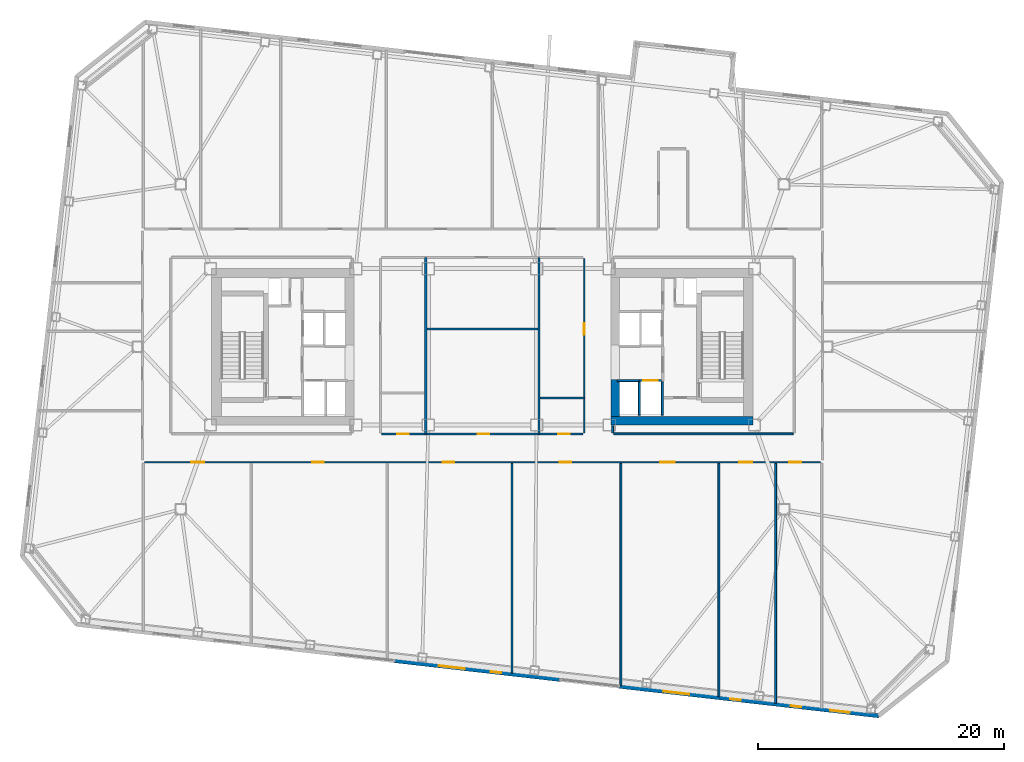
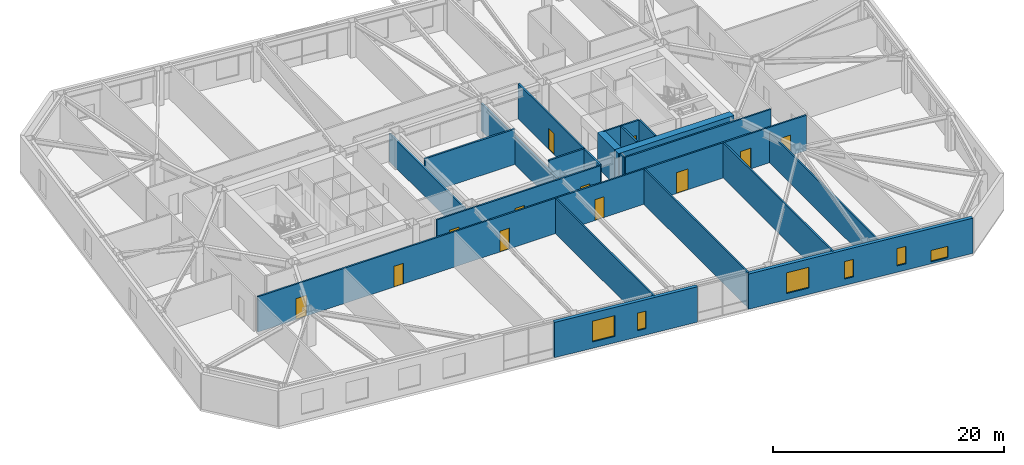
# One storey, part 13 of 21: 21 walls, 12 doors, 6 windows, 18 openings.
"""IFC4 building model written with IfcOpenShell, lengths in metres."""

from ifc_helpers import new_model, si_unit, direction, frame, frame_2d, origin, place, context, subcontext, project, spatial, rectangle, extrude, material, layer, layer_set, type_object, element, fill, save


model = new_model("IFC4")

# Units and contexts
model_context = context("Model", 3, precision=1e-05, world=origin(), true_north=direction((0.0, 1.0)))
body_context = subcontext(model_context, "Body", "Model", "MODEL_VIEW")
ifc_project = project(units=[si_unit("LENGTHUNIT", "METRE"), si_unit("AREAUNIT", "SQUARE_METRE"), si_unit("VOLUMEUNIT", "CUBIC_METRE"), si_unit("PLANEANGLEUNIT", "RADIAN"), si_unit("MASSUNIT", "GRAM", prefix="KILO")], contexts=[model_context])

# Site, building, storey
site_placement = place(None, origin())
site = spatial("IfcSite", under=ifc_project, at=site_placement, CompositionType="ELEMENT")
building_placement = place(site_placement, origin())
building = spatial("IfcBuilding", under=site, at=building_placement, Name="Tavrogorsk Clinical Tower", CompositionType="ELEMENT")
storey_placement = place(building_placement, frame((0.0, 0.0, 121.39990234375)))
storey = spatial("IfcBuildingStorey", under=building, at=storey_placement, Name="L27", CompositionType="ELEMENT", Elevation=121.39990234375)

# Wall, openings, doors
ifc_material_1 = material(Name="Lightweight concrete blockwork B15", Category="masonry")
ifc_layer_1 = layer(ifc_material_1, 0.159912109375)
ifc_layer_set_1 = layer_set([ifc_layer_1], Name="Lightweight concrete blockwork B15")
wall_type_1 = type_object("IfcWallType", Name="PartitionWall_160", PredefinedType="PARTITIONING", material=ifc_layer_set_1)
wall_1_placement = place(storey_placement, frame((27.465087890625, -9.3798828125, 0.0), z_axis=(0.0, 0.0, 1.0), x_axis=(-1.0, 0.0, 0.0)))
wall_1 = element("IfcWall", 1, at=wall_1_placement, inside=storey, type_object=wall_type_1, Name="L27 Corridor Partition 08", PredefinedType="PARTITIONING", context=body_context, shape_type="SweptSolid", body=[
    extrude(rectangle(XDim=54.93017578125, YDim=0.159912109375, at=frame_2d((27.465087890625, 0.0))), origin(), (0.0, 0.0, 1.0), 3.739990234375),
])
opening_1_placement = place(wall_1_placement, frame((50.055908203125, 0.0, 0.0)))
opening_1 = element("IfcOpeningElement", 2, at=opening_1_placement, cuts=wall_1, Name="Opening ID-04", PredefinedType="OPENING", context=body_context, shape_type="SweptSolid", body=[
    extrude(rectangle(XDim=1.050048828125, YDim=2.199951171875, at=frame_2d((0.52490234375, 1.10009765625))), frame((0.0, 0.08984375, 0.0), z_axis=(0.0, -1.0, 0.0), x_axis=(1.0, 0.0, 0.0)), (0.0, 0.0, 1.0), 0.179931640625),
])
opening_2_placement = place(wall_1_placement, frame((40.35009765625, 0.0, 0.0)))
opening_2 = element("IfcOpeningElement", 3, at=opening_2_placement, cuts=wall_1, Name="Opening ID-02", PredefinedType="OPENING", context=body_context, shape_type="SweptSolid", body=[
    extrude(rectangle(XDim=0.949951171875, YDim=2.199951171875, at=frame_2d((0.47509765625, 1.10009765625))), frame((0.0, 0.08984375, 0.0), z_axis=(0.0, -1.0, 0.0), x_axis=(1.0, 0.0, 0.0)), (0.0, 0.0, 1.0), 0.179931640625),
])
opening_3_placement = place(wall_1_placement, frame((29.75, 0.0, 0.0)))
opening_3 = element("IfcOpeningElement", 4, at=opening_3_placement, cuts=wall_1, Name="Opening ID-02", PredefinedType="OPENING", context=body_context, shape_type="SweptSolid", body=[
    extrude(rectangle(XDim=0.949951171875, YDim=2.199951171875, at=frame_2d((0.47509765625, 1.10009765625))), frame((0.0, 0.08984375, 0.0), z_axis=(0.0, -1.0, 0.0), x_axis=(1.0, 0.0, 0.0)), (0.0, 0.0, 1.0), 0.179931640625),
])
opening_4_placement = place(wall_1_placement, frame((20.25, 0.0, 0.0)))
opening_4 = element("IfcOpeningElement", 5, at=opening_4_placement, cuts=wall_1, Name="Opening ID-02", PredefinedType="OPENING", context=body_context, shape_type="SweptSolid", body=[
    extrude(rectangle(XDim=0.949951171875, YDim=2.199951171875, at=frame_2d((0.47509765625, 1.10009765625))), frame((0.0, 0.08984375, 0.0), z_axis=(0.0, -1.0, 0.0), x_axis=(1.0, 0.0, 0.0)), (0.0, 0.0, 1.0), 0.179931640625),
])
opening_5_placement = place(wall_1_placement, frame((11.85009765625, 0.0, 0.0)))
opening_5 = element("IfcOpeningElement", 6, at=opening_5_placement, cuts=wall_1, Name="Opening ID-06", PredefinedType="OPENING", context=body_context, shape_type="SweptSolid", body=[
    extrude(rectangle(XDim=1.14990234375, YDim=2.199951171875, at=frame_2d((0.574951171875, 1.10009765625))), frame((0.0, 0.08984375, 0.0), z_axis=(0.0, -1.0, 0.0), x_axis=(1.0, 0.0, 0.0)), (0.0, 0.0, 1.0), 0.179931640625),
])
opening_6_placement = place(wall_1_placement, frame((5.5625, 0.0, 0.0)))
opening_6 = element("IfcOpeningElement", 7, at=opening_6_placement, cuts=wall_1, Name="Opening ID-04", PredefinedType="OPENING", context=body_context, shape_type="SweptSolid", body=[
    extrude(rectangle(XDim=1.050048828125, YDim=2.199951171875, at=frame_2d((0.52490234375, 1.10009765625))), frame((0.0, 0.08984375, 0.0), z_axis=(0.0, -1.0, 0.0), x_axis=(1.0, 0.0, 0.0)), (0.0, 0.0, 1.0), 0.179931640625),
])
opening_7_placement = place(wall_1_placement, frame((1.58154296875, 0.0, 0.0)))
opening_7 = element("IfcOpeningElement", 8, at=opening_7_placement, cuts=wall_1, Name="Opening ID-02", PredefinedType="OPENING", context=body_context, shape_type="SweptSolid", body=[
    extrude(rectangle(XDim=0.949951171875, YDim=2.199951171875, at=frame_2d((0.47509765625, 1.10009765625))), frame((0.0, 0.08984375, 0.0), z_axis=(0.0, -1.0, 0.0), x_axis=(1.0, 0.0, 0.0)), (0.0, 0.0, 1.0), 0.179931640625),
])
ifc_material_2 = material(Name="Antibacterial HPL consultation door on aluminium frame", Category="aluminium")
door_type_1 = type_object("IfcDoorType", Name="ConsultDoor_ID04_1050", OperationType="NOTDEFINED", PredefinedType="DOOR", material=ifc_material_2)
door_1_placement = place(opening_1_placement, origin())
door_1 = element("IfcDoor", 9, at=door_1_placement, inside=storey, type_object=door_type_1, Name="L27 South Obstetric Case Conference Room 01 Door", OperationType="SINGLE_SWING_RIGHT", OverallHeight=2.199951171875, OverallWidth=1.050048828125, PredefinedType="DOOR", context=body_context, shape_type="SweptSolid", body=[
    extrude(rectangle(XDim=1.050048828125, YDim=2.199951171875, at=frame_2d((0.52490234375, 1.10009765625))), frame((0.0, 0.02490234375, 0.0), z_axis=(0.0, -1.0, 0.0), x_axis=(1.0, 0.0, 0.0)), (0.0, 0.0, 1.0), 0.050048828125),
])
fill(opening_1, door_1)
door_2_placement = place(opening_6_placement, origin())
door_2 = element("IfcDoor", 10, at=door_2_placement, inside=storey, type_object=door_type_1, Name="L27 South Midwifery Staff Lounge 04A Door", OperationType="SINGLE_SWING_LEFT", OverallHeight=2.199951171875, OverallWidth=1.050048828125, PredefinedType="DOOR", context=body_context, shape_type="SweptSolid", body=[
    extrude(rectangle(XDim=1.050048828125, YDim=2.199951171875, at=frame_2d((0.52490234375, 1.10009765625))), frame((0.0, 0.02490234375, 0.0), z_axis=(0.0, -1.0, 0.0), x_axis=(1.0, 0.0, 0.0)), (0.0, 0.0, 1.0), 0.050048828125),
])
fill(opening_6, door_2)
ifc_material_3 = material(Name="Laminated timber leaf on aluminium frame", Category="wood")
door_type_2 = type_object("IfcDoorType", Name="InteriorDoor_ID02_950", OperationType="NOTDEFINED", PredefinedType="DOOR", material=ifc_material_3)
door_3_placement = place(opening_2_placement, origin())
door_3 = element("IfcDoor", 11, at=door_3_placement, inside=storey, type_object=door_type_2, Name="L27 South Midwifery Staff Lounge 02A Door", OperationType="SINGLE_SWING_LEFT", OverallHeight=2.199951171875, OverallWidth=0.949951171875, PredefinedType="DOOR", context=body_context, shape_type="SweptSolid", body=[
    extrude(rectangle(XDim=0.949951171875, YDim=2.199951171875, at=frame_2d((0.47509765625, 1.10009765625))), frame((0.0, 0.02490234375, 0.0), z_axis=(0.0, -1.0, 0.0), x_axis=(1.0, 0.0, 0.0)), (0.0, 0.0, 1.0), 0.050048828125),
])
fill(opening_2, door_3)
door_4_placement = place(opening_3_placement, origin())
door_4 = element("IfcDoor", 12, at=door_4_placement, inside=storey, type_object=door_type_2, Name="L27 South Perinatal Consultation Office 02B Door", OperationType="SINGLE_SWING_RIGHT", OverallHeight=2.199951171875, OverallWidth=0.949951171875, PredefinedType="DOOR", context=body_context, shape_type="SweptSolid", body=[
    extrude(rectangle(XDim=0.949951171875, YDim=2.199951171875, at=frame_2d((0.47509765625, 1.10009765625))), frame((0.0, 0.02490234375, 0.0), z_axis=(0.0, -1.0, 0.0), x_axis=(1.0, 0.0, 0.0)), (0.0, 0.0, 1.0), 0.050048828125),
])
fill(opening_3, door_4)
door_5_placement = place(opening_4_placement, origin())
door_5 = element("IfcDoor", 13, at=door_5_placement, inside=storey, type_object=door_type_2, Name="L27 South Obstetric Case Conference Room 03A Door", OperationType="SINGLE_SWING_LEFT", OverallHeight=2.199951171875, OverallWidth=0.949951171875, PredefinedType="DOOR", context=body_context, shape_type="SweptSolid", body=[
    extrude(rectangle(XDim=0.949951171875, YDim=2.199951171875, at=frame_2d((0.47509765625, 1.10009765625))), frame((0.0, 0.02490234375, 0.0), z_axis=(0.0, -1.0, 0.0), x_axis=(1.0, 0.0, 0.0)), (0.0, 0.0, 1.0), 0.050048828125),
])
fill(opening_4, door_5)
door_6_placement = place(opening_7_placement, origin())
door_6 = element("IfcDoor", 14, at=door_6_placement, inside=storey, type_object=door_type_2, Name="L27 South Perinatal Consultation Office 04B Door", OperationType="SINGLE_SWING_RIGHT", OverallHeight=2.199951171875, OverallWidth=0.949951171875, PredefinedType="DOOR", context=body_context, shape_type="SweptSolid", body=[
    extrude(rectangle(XDim=0.949951171875, YDim=2.199951171875, at=frame_2d((0.47509765625, 1.10009765625))), frame((0.0, 0.02490234375, 0.0), z_axis=(0.0, -1.0, 0.0), x_axis=(1.0, 0.0, 0.0)), (0.0, 0.0, 1.0), 0.050048828125),
])
fill(opening_7, door_6)
ifc_material_4 = material(Name="Antibacterial HPL procedure door on aluminium frame", Category="aluminium")
door_type_3 = type_object("IfcDoorType", Name="LabDoor_ID06_1150", OperationType="NOTDEFINED", PredefinedType="DOOR", material=ifc_material_4)
door_7_placement = place(opening_5_placement, origin())
door_7 = element("IfcDoor", 15, at=door_7_placement, inside=storey, type_object=door_type_3, Name="L27 South Sterile Perinatal Supply Store 03B Door", OperationType="SINGLE_SWING_RIGHT", OverallHeight=2.199951171875, OverallWidth=1.14990234375, PredefinedType="DOOR", context=body_context, shape_type="SweptSolid", body=[
    extrude(rectangle(XDim=1.14990234375, YDim=2.199951171875, at=frame_2d((0.574951171875, 1.10009765625))), frame((0.0, 0.02490234375, 0.0), z_axis=(0.0, -1.0, 0.0), x_axis=(1.0, 0.0, 0.0)), (0.0, 0.0, 1.0), 0.050048828125),
])
fill(opening_5, door_7)

# Walls
wall_2_placement = place(storey_placement, frame((10.580078125, -6.419921875, 0.0), z_axis=(0.0, 0.0, 1.0), x_axis=(0.0, -1.0, 0.0)))
element("IfcWall", 16, at=wall_2_placement, inside=storey, type_object=wall_type_1, Name="L27 Corridor Partition 11", PredefinedType="PARTITIONING", context=body_context, shape_type="SweptSolid", body=[
    extrude(rectangle(XDim=0.565185546875, YDim=0.159912109375, at=frame_2d((0.28271484375, 0.0))), origin(), (0.0, 0.0, 1.0), 3.739990234375),
])
wall_3_placement = place(storey_placement, frame((10.6650390625, -7.070068359375, 0.0), z_axis=(0.0, 0.0, 1.0), x_axis=(1.0, 0.0, 0.0)))
element("IfcWall", 17, at=wall_3_placement, inside=storey, type_object=wall_type_1, Name="L27 Corridor Partition 12", PredefinedType="PARTITIONING", context=body_context, shape_type="SweptSolid", body=[
    extrude(rectangle(XDim=14.570068359375, YDim=0.159912109375, at=frame_2d((7.28515625, 0.0))), origin(), (0.0, 0.0, 1.0), 3.739990234375),
])

# Wall, opening, door
wall_4_placement = place(storey_placement, frame((8.27001953125, -6.985107421875, 0.0), z_axis=(0.0, 0.0, 1.0), x_axis=(0.0, 1.0, 0.0)))
wall_4 = element("IfcWall", 18, at=wall_4_placement, inside=storey, type_object=wall_type_1, Name="L27 Corridor Partition 14", PredefinedType="PARTITIONING", context=body_context, shape_type="SweptSolid", body=[
    extrude(rectangle(XDim=14.170166015625, YDim=0.159912109375, at=frame_2d((7.0849609375, 0.0))), origin(), (0.0, 0.0, 1.0), 3.739990234375),
])
opening_8_placement = place(wall_4_placement, frame((7.9609375, 0.0, 0.0)))
opening_8 = element("IfcOpeningElement", 19, at=opening_8_placement, cuts=wall_4, Name="Opening ID-02", PredefinedType="OPENING", context=body_context, shape_type="SweptSolid", body=[
    extrude(rectangle(XDim=0.949951171875, YDim=2.199951171875, at=frame_2d((0.47509765625, 1.10009765625))), frame((0.0, 0.08984375, 0.0), z_axis=(0.0, -1.0, 0.0), x_axis=(1.0, 0.0, 0.0)), (0.0, 0.0, 1.0), 0.179931640625),
])
door_8_placement = place(opening_8_placement, origin())
door_8 = element("IfcDoor", 20, at=door_8_placement, inside=storey, type_object=door_type_2, Name="L27 Attending Physician Office Door", OperationType="SINGLE_SWING_RIGHT", OverallHeight=2.199951171875, OverallWidth=0.949951171875, PredefinedType="DOOR", context=body_context, shape_type="SweptSolid", body=[
    extrude(rectangle(XDim=0.949951171875, YDim=2.199951171875, at=frame_2d((0.47509765625, 1.10009765625))), frame((0.0, 0.02490234375, 0.0), z_axis=(0.0, -1.0, 0.0), x_axis=(1.0, 0.0, 0.0)), (0.0, 0.0, 1.0), 0.050048828125),
])
fill(opening_8, door_8)

# Wall, openings, doors
wall_5_placement = place(storey_placement, frame((-8.18505859375, -7.070068359375, 0.0), z_axis=(0.0, 0.0, 1.0), x_axis=(1.0, 0.0, 0.0)))
wall_5 = element("IfcWall", 21, at=wall_5_placement, inside=storey, type_object=wall_type_1, Name="L27 Corridor Partition 17", PredefinedType="PARTITIONING", context=body_context, shape_type="SweptSolid", body=[
    extrude(rectangle(XDim=16.3701171875, YDim=0.159912109375, at=frame_2d((8.18505859375, 0.0))), origin(), (0.0, 0.0, 1.0), 3.739990234375),
])
opening_9_placement = place(wall_5_placement, frame((1.254150390625, 0.0, 0.0)))
opening_9 = element("IfcOpeningElement", 22, at=opening_9_placement, cuts=wall_5, Name="Opening ID-02", PredefinedType="OPENING", context=body_context, shape_type="SweptSolid", body=[
    extrude(rectangle(XDim=0.949951171875, YDim=2.199951171875, at=frame_2d((0.47509765625, 1.10009765625))), frame((0.0, 0.08984375, 0.0), z_axis=(0.0, -1.0, 0.0), x_axis=(1.0, 0.0, 0.0)), (0.0, 0.0, 1.0), 0.179931640625),
])
opening_10_placement = place(wall_5_placement, frame((7.794921875, 0.0, 0.0)))
opening_10 = element("IfcOpeningElement", 23, at=opening_10_placement, cuts=wall_5, Name="Opening ID-02", PredefinedType="OPENING", context=body_context, shape_type="SweptSolid", body=[
    extrude(rectangle(XDim=0.949951171875, YDim=2.199951171875, at=frame_2d((0.47509765625, 1.10009765625))), frame((0.0, 0.08984375, 0.0), z_axis=(0.0, -1.0, 0.0), x_axis=(1.0, 0.0, 0.0)), (0.0, 0.0, 1.0), 0.179931640625),
])
opening_11_placement = place(wall_5_placement, frame((14.3359375, 0.0, 0.0)))
opening_11 = element("IfcOpeningElement", 24, at=opening_11_placement, cuts=wall_5, Name="Opening ID-02", PredefinedType="OPENING", context=body_context, shape_type="SweptSolid", body=[
    extrude(rectangle(XDim=0.949951171875, YDim=2.199951171875, at=frame_2d((0.47509765625, 1.10009765625))), frame((0.0, 0.08984375, 0.0), z_axis=(0.0, -1.0, 0.0), x_axis=(1.0, 0.0, 0.0)), (0.0, 0.0, 1.0), 0.179931640625),
])
door_9_placement = place(opening_9_placement, origin())
door_9 = element("IfcDoor", 25, at=door_9_placement, inside=storey, type_object=door_type_2, Name="L27 Accessible Patient Lavatory Door", OperationType="SINGLE_SWING_LEFT", OverallHeight=2.199951171875, OverallWidth=0.949951171875, PredefinedType="DOOR", context=body_context, shape_type="SweptSolid", body=[
    extrude(rectangle(XDim=0.949951171875, YDim=2.199951171875, at=frame_2d((0.47509765625, 1.10009765625))), frame((0.0, 0.02490234375, 0.0), z_axis=(0.0, -1.0, 0.0), x_axis=(1.0, 0.0, 0.0)), (0.0, 0.0, 1.0), 0.050048828125),
])
fill(opening_9, door_9)
door_10_placement = place(opening_10_placement, origin())
door_10 = element("IfcDoor", 26, at=door_10_placement, inside=storey, type_object=door_type_2, Name="L27 Multidisciplinary Conference Room Door", OperationType="SINGLE_SWING_LEFT", OverallHeight=2.199951171875, OverallWidth=0.949951171875, PredefinedType="DOOR", context=body_context, shape_type="SweptSolid", body=[
    extrude(rectangle(XDim=0.949951171875, YDim=2.199951171875, at=frame_2d((0.47509765625, 1.10009765625))), frame((0.0, 0.02490234375, 0.0), z_axis=(0.0, -1.0, 0.0), x_axis=(1.0, 0.0, 0.0)), (0.0, 0.0, 1.0), 0.050048828125),
])
fill(opening_10, door_10)
door_11_placement = place(opening_11_placement, origin())
door_11 = element("IfcDoor", 27, at=door_11_placement, inside=storey, type_object=door_type_2, Name="L27 Staff & Visitor Accessible WC Door", OperationType="SINGLE_SWING_LEFT", OverallHeight=2.199951171875, OverallWidth=0.949951171875, PredefinedType="DOOR", context=body_context, shape_type="SweptSolid", body=[
    extrude(rectangle(XDim=0.949951171875, YDim=2.199951171875, at=frame_2d((0.47509765625, 1.10009765625))), frame((0.0, 0.02490234375, 0.0), z_axis=(0.0, -1.0, 0.0), x_axis=(1.0, 0.0, 0.0)), (0.0, 0.0, 1.0), 0.050048828125),
])
fill(opening_11, door_11)

# Walls
wall_6_placement = place(storey_placement, frame((2.39990234375, -26.518798828125, 0.0), z_axis=(0.0, 0.0, 1.0), x_axis=(0.0, 1.0, 0.0)))
element("IfcWall", 28, at=wall_6_placement, inside=storey, type_object=wall_type_1, Name="L27 South Room Partition 2", PredefinedType="PARTITIONING", context=body_context, shape_type="SweptSolid", body=[
    extrude(rectangle(XDim=17.0537109375, YDim=0.159912109375, at=frame_2d((8.52685546875, 0.0))), origin(), (0.0, 0.0, 1.0), 3.739990234375),
])
wall_7_placement = place(storey_placement, frame((19.199951171875, -28.43310546875, 0.0), z_axis=(0.0, 0.0, 1.0), x_axis=(0.0, 1.0, 0.0)))
element("IfcWall", 29, at=wall_7_placement, inside=storey, type_object=wall_type_1, Name="L27 South Room Partition 3", PredefinedType="PARTITIONING", context=body_context, shape_type="SweptSolid", body=[
    extrude(rectangle(XDim=18.968017578125, YDim=0.159912109375, at=frame_2d((9.48388671875, 0.0))), origin(), (0.0, 0.0, 1.0), 3.739990234375),
])
wall_8_placement = place(storey_placement, frame((11.25, -27.527099609375, 0.0), z_axis=(0.0, 0.0, 1.0), x_axis=(0.0, 1.0, 0.0)))
element("IfcWall", 30, at=wall_8_placement, inside=storey, type_object=wall_type_1, Name="L27 South Sub-Partition 3", PredefinedType="PARTITIONING", context=body_context, shape_type="SweptSolid", body=[
    extrude(rectangle(XDim=18.06201171875, YDim=0.159912109375, at=frame_2d((9.031005859375, 0.0))), origin(), (0.0, 0.0, 1.0), 3.739990234375),
])
wall_9_placement = place(storey_placement, frame((23.824951171875, -28.9599609375, 0.0), z_axis=(0.0, 0.0, 1.0), x_axis=(0.0, 1.0, 0.0)))
element("IfcWall", 31, at=wall_9_placement, inside=storey, type_object=wall_type_1, Name="L27 South Sub-Partition 4", PredefinedType="PARTITIONING", context=body_context, shape_type="SweptSolid", body=[
    extrude(rectangle(XDim=19.494873046875, YDim=0.159912109375, at=frame_2d((9.74755859375, 0.0))), origin(), (0.0, 0.0, 1.0), 3.235107421875),
])
ifc_material_5 = material(Name="Lightweight concrete blockwork B20", Category="masonry")
ifc_layer_2 = layer(ifc_material_5, 0.179931640625)
ifc_layer_set_2 = layer_set([ifc_layer_2], Name="Lightweight concrete blockwork B20")
wall_type_2 = type_object("IfcWallType", Name="PartitionWall_180", PredefinedType="PARTITIONING", material=ifc_layer_set_2)
for number, where, z_axis, x_axis, name in (
    (32, (-4.60009765625, -7.06494140625, 0.0), (0.0, 0.0, 1.0), (0.0, 1.0, 0.0), "L27 Central Spine Partition 1"),
    (33, (4.60009765625, -7.06494140625, 0.0), (0.0, 0.0, 1.0), (0.0, 1.0, 0.0), "L27 Central Spine Partition 2"),
):
    element("IfcWall", number, at=place(storey_placement, frame(where, z_axis=z_axis, x_axis=x_axis)), inside=storey, type_object=wall_type_2, Name=name, PredefinedType="PARTITIONING", context=body_context, shape_type="SweptSolid", body=[
        extrude(rectangle(XDim=14.329833984375, YDim=0.179931640625, at=frame_2d((7.1650390625, 0.0))), origin(), (0.0, 0.0, 1.0), 2.93505859375),
    ])
wall_10_placement = place(storey_placement, frame((-4.5048828125, 1.449951171875, 0.0), z_axis=(0.0, 0.0, 1.0), x_axis=(1.0, 0.0, 0.0)))
element("IfcWall", 34, at=wall_10_placement, inside=storey, type_object=wall_type_2, Name="L27 Central Spine Partition 3", PredefinedType="PARTITIONING", context=body_context, shape_type="SweptSolid", body=[
    extrude(rectangle(XDim=9.009765625, YDim=0.179931640625, at=frame_2d((4.5048828125, 0.0))), origin(), (0.0, 0.0, 1.0), 3.739990234375),
])
wall_11_placement = place(storey_placement, frame((4.695068359375, -4.14990234375, 0.0), z_axis=(0.0, 0.0, 1.0), x_axis=(1.0, 0.0, 0.0)))
element("IfcWall", 35, at=wall_11_placement, inside=storey, type_object=wall_type_2, Name="L27 Central Spine Partition 5", PredefinedType="PARTITIONING", context=body_context, shape_type="SweptSolid", body=[
    extrude(rectangle(XDim=3.56982421875, YDim=0.179931640625, at=frame_2d((1.784912109375, 0.0))), origin(), (0.0, 0.0, 1.0), 3.739990234375),
])

# Wall, openings, windows
ifc_material_6 = material(Name="Precast concrete B45 with limestone cladding", Category="masonry")
ifc_layer_3 = layer(ifc_material_6, 0.340087890625)
ifc_layer_set_3 = layer_set([ifc_layer_3], Name="Precast concrete B45 with limestone cladding")
wall_type_3 = type_object("IfcWallType", Name="PrecastLimestoneWall_340", PredefinedType="STANDARD", material=ifc_layer_set_3)
wall_12_placement = place(storey_placement, frame((-7.121826171875, -25.50439453125, 0.0), z_axis=(0.0, 0.0, 1.0), x_axis=(0.993571685551, -0.11320470693, 0.0)))
wall_12 = element("IfcWall", 36, at=wall_12_placement, inside=storey, type_object=wall_type_3, Name="L27 S Limestone Facade Wall 2", PredefinedType="STANDARD", context=body_context, shape_type="SweptSolid", body=[
    extrude(rectangle(XDim=13.554443359375, YDim=0.340087890625, at=frame_2d((6.77734375, 0.0))), origin(), (0.0, 0.0, 1.0), 3.739990234375),
])
opening_12_placement = place(wall_12_placement, frame((3.616455078125, 0.0, 0.669921875)))
opening_12 = element("IfcOpeningElement", 37, at=opening_12_placement, cuts=wall_12, Name="Opening WN-03", PredefinedType="OPENING", context=body_context, shape_type="SweptSolid", body=[
    extrude(rectangle(XDim=2.10009765625, YDim=2.199951171875, at=frame_2d((1.050048828125, 1.10009765625))), frame((0.0, 0.179931640625, 0.0), z_axis=(0.0, -1.0, 0.0), x_axis=(1.0, 0.0, 0.0)), (0.0, 0.0, 1.0), 0.360107421875),
])
opening_13_placement = place(wall_12_placement, frame((7.837890625, 0.0, 0.669921875)))
opening_13 = element("IfcOpeningElement", 38, at=opening_13_placement, cuts=wall_12, Name="Opening WN-06", PredefinedType="OPENING", context=body_context, shape_type="SweptSolid", body=[
    extrude(rectangle(XDim=0.85009765625, YDim=1.85009765625, at=frame_2d((0.425048828125, 0.925048828125))), frame((0.0, 0.179931640625, 0.0), z_axis=(0.0, -1.0, 0.0), x_axis=(1.0, 0.0, 0.0)), (0.0, 0.0, 1.0), 0.360107421875),
])
ifc_material_7 = material(Name="Thermally broken aluminium frame and triple IGU", Category="aluminium")
window_type_1 = type_object("IfcWindowType", Name="MullionSubWin_850x1850", PartitioningType="SINGLE_PANEL", PredefinedType="WINDOW", material=ifc_material_7)
window_1_placement = place(opening_13_placement, origin())
window_1 = element("IfcWindow", 39, at=window_1_placement, inside=storey, type_object=window_type_1, Name="L27 S Mullion Split Window 06A", OverallHeight=1.85009765625, OverallWidth=0.85009765625, PartitioningType="SINGLE_PANEL", PredefinedType="WINDOW", context=body_context, shape_type="SweptSolid", body=[
    extrude(rectangle(XDim=0.85009765625, YDim=1.85009765625, at=frame_2d((0.425048828125, 0.925048828125))), frame((0.0, 0.030029296875, 0.0), z_axis=(0.0, -1.0, 0.0), x_axis=(1.0, 0.0, 0.0)), (0.0, 0.0, 1.0), 0.06005859375),
])
fill(opening_13, window_1)
ifc_material_8 = material(Name="Thermally broken aluminium frame and triple IGU", Category="aluminium")
window_type_2 = type_object("IfcWindowType", Name="PatientTwinWin_2100x2200", PartitioningType="DOUBLE_PANEL_VERTICAL", PredefinedType="WINDOW", material=ifc_material_8)
window_2_placement = place(opening_12_placement, origin())
window_2 = element("IfcWindow", 40, at=window_2_placement, inside=storey, type_object=window_type_2, Name="L27 S Chicago Window 05", OverallHeight=2.199951171875, OverallWidth=2.10009765625, PartitioningType="SINGLE_PANEL", PredefinedType="WINDOW", context=body_context, shape_type="SweptSolid", body=[
    extrude(rectangle(XDim=2.10009765625, YDim=2.199951171875, at=frame_2d((1.050048828125, 1.10009765625))), frame((0.0, 0.030029296875, 0.0), z_axis=(0.0, -1.0, 0.0), x_axis=(1.0, 0.0, 0.0)), (0.0, 0.0, 1.0), 0.06005859375),
])
fill(opening_12, window_2)

wall_13_placement = place(storey_placement, frame((11.114501953125, -27.582275390625, 0.0), z_axis=(0.0, 0.0, 1.0), x_axis=(0.993572655904, -0.113196190044, 0.0)))
wall_13 = element("IfcWall", 41, at=wall_13_placement, inside=storey, type_object=wall_type_3, Name="L27 S Limestone Facade Wall 3", PredefinedType="STANDARD", context=body_context, shape_type="SweptSolid", body=[
    extrude(rectangle(XDim=21.222900390625, YDim=0.340087890625, at=frame_2d((10.611328125, 0.0))), origin(), (0.0, 0.0, 1.0), 3.739990234375),
])
opening_14_placement = place(wall_13_placement, frame((3.616455078125, 0.0, 0.669921875)))
opening_14 = element("IfcOpeningElement", 42, at=opening_14_placement, cuts=wall_13, Name="Opening WN-03", PredefinedType="OPENING", context=body_context, shape_type="SweptSolid", body=[
    extrude(rectangle(XDim=2.10009765625, YDim=2.199951171875, at=frame_2d((1.050048828125, 1.10009765625))), frame((0.0, 0.179931640625, 0.0), z_axis=(0.0, -1.0, 0.0), x_axis=(1.0, 0.0, 0.0)), (0.0, 0.0, 1.0), 0.360107421875),
])
opening_15_placement = place(wall_13_placement, frame((9.087890625, 0.0, 0.669921875)))
opening_15 = element("IfcOpeningElement", 43, at=opening_15_placement, cuts=wall_13, Name="Opening WN-06", PredefinedType="OPENING", context=body_context, shape_type="SweptSolid", body=[
    extrude(rectangle(XDim=0.85009765625, YDim=1.85009765625, at=frame_2d((0.425048828125, 0.925048828125))), frame((0.0, 0.179931640625, 0.0), z_axis=(0.0, -1.0, 0.0), x_axis=(1.0, 0.0, 0.0)), (0.0, 0.0, 1.0), 0.360107421875),
])
opening_16_placement = place(wall_13_placement, frame((14.043701171875, 0.0, 0.669921875)))
opening_16 = element("IfcOpeningElement", 44, at=opening_16_placement, cuts=wall_13, Name="Opening WN-06", PredefinedType="OPENING", context=body_context, shape_type="SweptSolid", body=[
    extrude(rectangle(XDim=0.85009765625, YDim=1.85009765625, at=frame_2d((0.425048828125, 0.925048828125))), frame((0.0, 0.179931640625, 0.0), z_axis=(0.0, -1.0, 0.0), x_axis=(1.0, 0.0, 0.0)), (0.0, 0.0, 1.0), 0.360107421875),
])
opening_17_placement = place(wall_13_placement, frame((17.264892578125, 0.0, 0.219970703125)))
opening_17 = element("IfcOpeningElement", 45, at=opening_17_placement, cuts=wall_13, Name="Opening WN-09", PredefinedType="OPENING", context=body_context, shape_type="SweptSolid", body=[
    extrude(rectangle(XDim=1.60009765625, YDim=1.199951171875, at=frame_2d((0.800048828125, 0.60009765625))), frame((0.0, 0.179931640625, 0.0), z_axis=(0.0, -1.0, 0.0), x_axis=(1.0, 0.0, 0.0)), (0.0, 0.0, 1.0), 0.360107421875),
])
ifc_material_9 = material(Name="Thermally broken aluminium frame and triple IGU", Category="aluminium")
window_type_3 = type_object("IfcWindowType", Name="LowHeadTransWin_1600x1200", PartitioningType="DOUBLE_PANEL_VERTICAL", PredefinedType="WINDOW", material=ifc_material_9)
window_3_placement = place(opening_17_placement, origin())
window_3 = element("IfcWindow", 46, at=window_3_placement, inside=storey, type_object=window_type_3, Name="L27 S Chicago Window 10", OverallHeight=1.199951171875, OverallWidth=1.60009765625, PartitioningType="SINGLE_PANEL", PredefinedType="WINDOW", context=body_context, shape_type="SweptSolid", body=[
    extrude(rectangle(XDim=1.60009765625, YDim=1.199951171875, at=frame_2d((0.800048828125, 0.60009765625))), frame((0.0, 0.030029296875, 0.0), z_axis=(0.0, -1.0, 0.0), x_axis=(1.0, 0.0, 0.0)), (0.0, 0.0, 1.0), 0.06005859375),
])
fill(opening_17, window_3)
window_4_placement = place(opening_15_placement, origin())
window_4 = element("IfcWindow", 47, at=window_4_placement, inside=storey, type_object=window_type_1, Name="L27 S Mullion Split Window 08B", OverallHeight=1.85009765625, OverallWidth=0.85009765625, PartitioningType="SINGLE_PANEL", PredefinedType="WINDOW", context=body_context, shape_type="SweptSolid", body=[
    extrude(rectangle(XDim=0.85009765625, YDim=1.85009765625, at=frame_2d((0.425048828125, 0.925048828125))), frame((0.0, 0.030029296875, 0.0), z_axis=(0.0, -1.0, 0.0), x_axis=(1.0, 0.0, 0.0)), (0.0, 0.0, 1.0), 0.06005859375),
])
fill(opening_15, window_4)
window_5_placement = place(opening_16_placement, origin())
window_5 = element("IfcWindow", 48, at=window_5_placement, inside=storey, type_object=window_type_1, Name="L27 S Mullion Split Window 09B", OverallHeight=1.85009765625, OverallWidth=0.85009765625, PartitioningType="SINGLE_PANEL", PredefinedType="WINDOW", context=body_context, shape_type="SweptSolid", body=[
    extrude(rectangle(XDim=0.85009765625, YDim=1.85009765625, at=frame_2d((0.425048828125, 0.925048828125))), frame((0.0, 0.030029296875, 0.0), z_axis=(0.0, -1.0, 0.0), x_axis=(1.0, 0.0, 0.0)), (0.0, 0.0, 1.0), 0.06005859375),
])
fill(opening_16, window_5)
window_6_placement = place(opening_14_placement, origin())
window_6 = element("IfcWindow", 49, at=window_6_placement, inside=storey, type_object=window_type_2, Name="L27 S Chicago Window 07", OverallHeight=2.199951171875, OverallWidth=2.10009765625, PartitioningType="SINGLE_PANEL", PredefinedType="WINDOW", context=body_context, shape_type="SweptSolid", body=[
    extrude(rectangle(XDim=2.10009765625, YDim=2.199951171875, at=frame_2d((1.050048828125, 1.10009765625))), frame((0.0, 0.030029296875, 0.0), z_axis=(0.0, -1.0, 0.0), x_axis=(1.0, 0.0, 0.0)), (0.0, 0.0, 1.0), 0.06005859375),
])
fill(opening_14, window_6)

# Wall, opening, door
ifc_material_10 = material(Name="Lightweight concrete blockwork B25", Category="masonry")
ifc_layer_4 = layer(ifc_material_10, 0.159912109375)
ifc_layer_set_4 = layer_set([ifc_layer_4], Name="Lightweight concrete blockwork B25")
wall_type_4 = type_object("IfcWallType", Name="ShaftWall_160", PredefinedType="PARTITIONING", material=ifc_layer_set_4)
wall_14_placement = place(storey_placement, frame((12.77001953125, -2.75, 0.0), z_axis=(0.0, 0.0, 1.0), x_axis=(1.0, 0.0, 0.0)))
wall_14 = element("IfcWall", 50, at=wall_14_placement, inside=storey, type_object=wall_type_4, Name="L27 LP-L2 Lift Shaft Portal Wall", PredefinedType="PARTITIONING", context=body_context, shape_type="SweptSolid", body=[
    extrude(rectangle(XDim=1.760009765625, YDim=0.159912109375, at=frame_2d((0.8798828125, 0.0))), origin(), (0.0, 0.0, 1.0), 3.739990234375),
])
opening_18_placement = place(wall_14_placement, frame((0.280029296875, 0.0, 0.0)))
opening_18 = element("IfcOpeningElement", 51, at=opening_18_placement, cuts=wall_14, Name="Opening LD", PredefinedType="OPENING", context=body_context, shape_type="SweptSolid", body=[
    extrude(rectangle(XDim=1.199951171875, YDim=2.199951171875, at=frame_2d((0.60009765625, 1.10009765625))), frame((0.0, 0.08984375, 0.0), z_axis=(0.0, -1.0, 0.0), x_axis=(1.0, 0.0, 0.0)), (0.0, 0.0, 1.0), 0.179931640625),
])
ifc_material_11 = material(Name="Brushed stainless steel AISI 304 sliding doors", Category="steel")
door_type_4 = type_object("IfcDoorType", Name="LiftLandingDoor_LD_1200", OperationType="SLIDING_TO_LEFT", PredefinedType="DOOR", material=ifc_material_11)
door_12_placement = place(opening_18_placement, origin())
door_12 = element("IfcDoor", 52, at=door_12_placement, inside=storey, type_object=door_type_4, Name="L27 LP-L2 Sliding Lift Landing Door", OperationType="SLIDING_TO_LEFT", OverallHeight=2.199951171875, OverallWidth=1.199951171875, PredefinedType="DOOR", context=body_context, shape_type="SweptSolid", body=[
    extrude(rectangle(XDim=1.199951171875, YDim=2.199951171875, at=frame_2d((0.60009765625, 1.10009765625))), frame((0.0, 0.02490234375, 0.0), z_axis=(0.0, -1.0, 0.0), x_axis=(1.0, 0.0, 0.0)), (0.0, 0.0, 1.0), 0.050048828125),
])
fill(opening_18, door_12)

# Walls
for number, where, z_axis, x_axis, name in (
    (53, (12.75, -5.5400390625, 0.0), (0.0, 0.0, 1.0), (0.0, 1.0, 0.0), "L27 LP-L2 Lift Hoistway Divider Wall"),
    (54, (14.610107421875, -5.5400390625, 0.0), (0.0, 0.0, 1.0), (0.0, 1.0, 0.0), "L27 LP-L2 Lift Hoistway Outer Cheek Wall"),
):
    element("IfcWall", number, at=place(storey_placement, frame(where, z_axis=z_axis, x_axis=x_axis)), inside=storey, type_object=wall_type_4, Name=name, PredefinedType="PARTITIONING", context=body_context, shape_type="SweptSolid", body=[
        extrude(rectangle(XDim=2.699951171875, YDim=0.159912109375, at=frame_2d((1.35009765625, 0.0))), origin(), (0.0, 0.0, 1.0), 3.739990234375),
    ])
wall_15_placement = place(storey_placement, frame((10.969970703125, -2.75, 0.0), z_axis=(0.0, 0.0, 1.0), x_axis=(1.0, 0.0, 0.0)))
element("IfcWall", 55, at=wall_15_placement, inside=storey, type_object=wall_type_4, Name="L27 LP-M2 Lift Shaft Portal Wall", PredefinedType="PARTITIONING", context=body_context, shape_type="SweptSolid", body=[
    extrude(rectangle(XDim=1.760009765625, YDim=0.159912109375, at=frame_2d((0.8798828125, 0.0))), origin(), (0.0, 0.0, 1.0), 3.739990234375),
])
ifc_material_12 = material(Name="Concrete B80", Category="concrete")
ifc_layer_5 = layer(ifc_material_12, 0.699951171875)
ifc_layer_set_5 = layer_set([ifc_layer_5], Name="Concrete B80")
wall_type_5 = type_object("IfcWallType", Name="ShearWall_700", PredefinedType="SHEAR", material=ifc_layer_set_5)
wall_16_placement = place(storey_placement, frame((10.449951171875, -6.0, 0.0), z_axis=(0.0, 0.0, 1.0), x_axis=(1.0, 0.0, 0.0)))
element("IfcWall", 56, at=wall_16_placement, inside=storey, type_object=wall_type_5, Name="L27 Core East South Shear Wall", PredefinedType="SHEAR", context=body_context, shape_type="SweptSolid", body=[
    extrude(rectangle(XDim=11.550048828125, YDim=0.699951171875, at=frame_2d((5.77490234375, 0.0))), origin(), (0.0, 0.0, 1.0), 3.739990234375),
])
wall_17_placement = place(storey_placement, frame((10.800048828125, -5.64990234375, 0.0), z_axis=(0.0, 0.0, 1.0), x_axis=(0.0, 1.0, 0.0)))
element("IfcWall", 57, at=wall_17_placement, inside=storey, type_object=wall_type_5, Name="L27 Core East Inner South Pier", PredefinedType="SHEAR", context=body_context, shape_type="SweptSolid", body=[
    extrude(rectangle(XDim=3.0, YDim=0.699951171875, at=frame_2d((1.5, 0.0))), origin(), (0.0, 0.0, 1.0), 3.739990234375),
])

save(model, "model.ifc")
